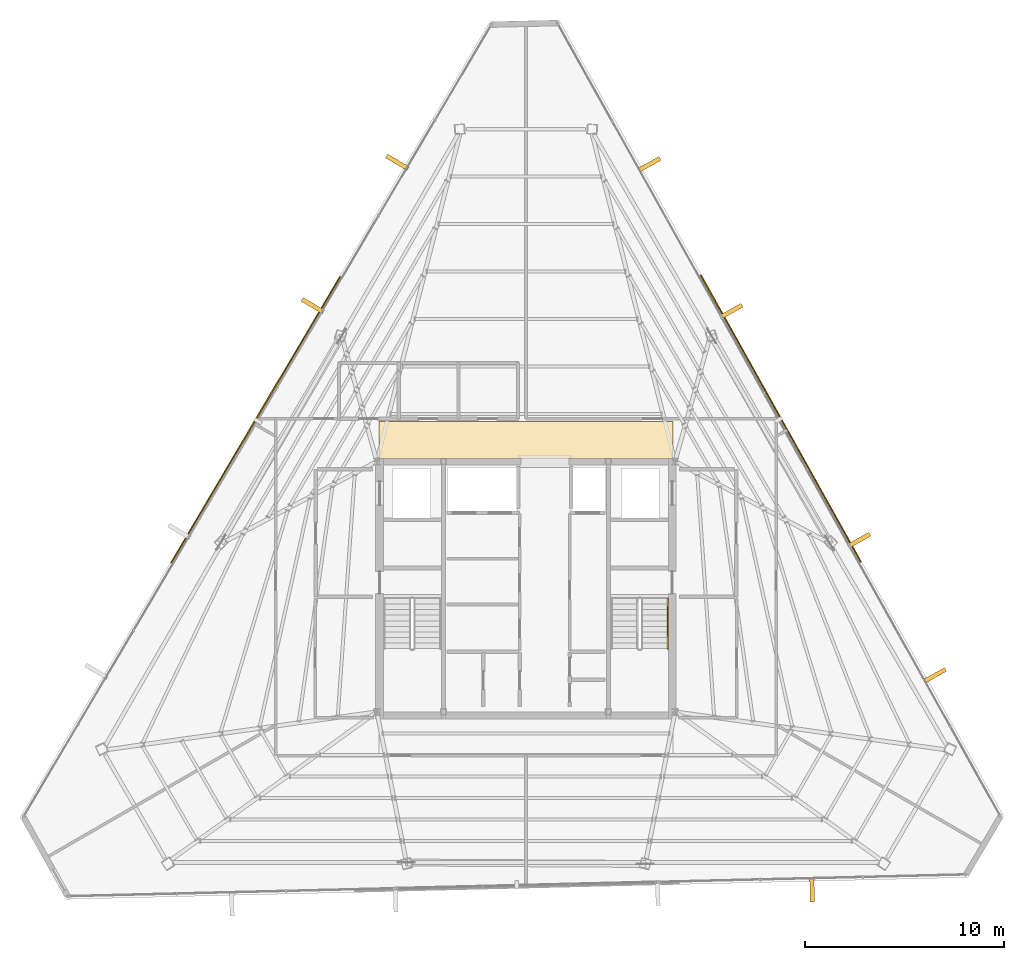
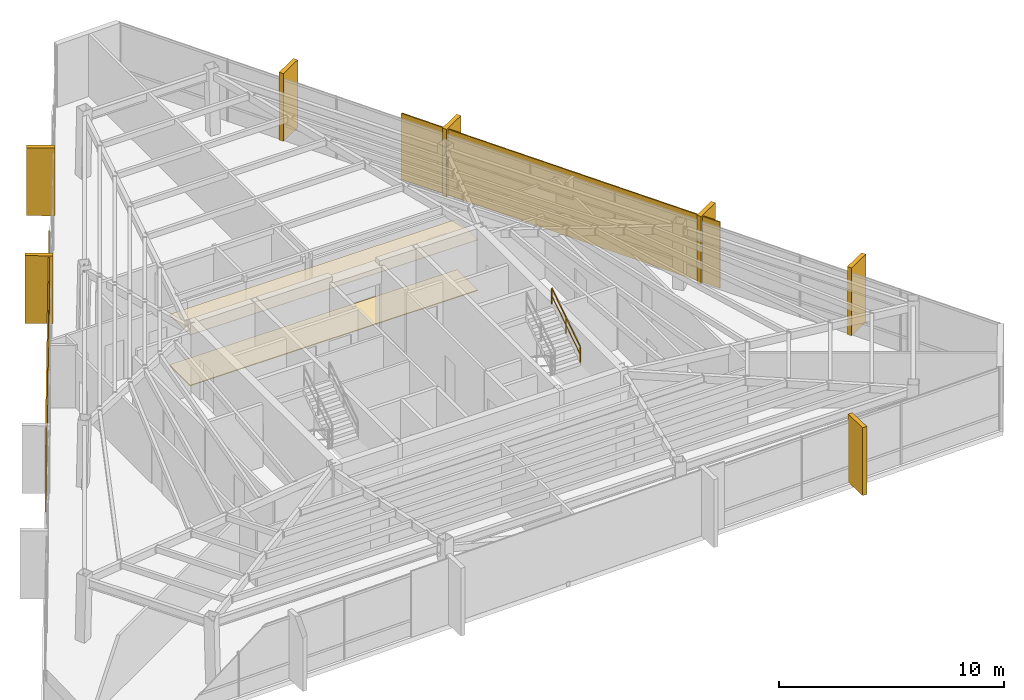
# One storey, part 48 of 48: 9 coverings, 2 shading devices, 1 railing.
"""IFC4 building model written with IfcOpenShell, lengths in metres."""

import ifcopenshell
import ifcopenshell.guid

model = None  # the IFC model being written
_history = None  # IfcOwnerHistory: only IFC2X3 demands one
_inside = {}  # id of a spatial element -> (the spatial element, [elements in it])
_under = {}  # id of a project, library or spatial element -> (it, [spatial elements below it])
_declared = {}  # id of a project -> (the project, [libraries it declares])
_typed = {}  # id of a type object -> (the type object, [elements of that type])
_made_of = {}  # id of a material, layer set ... -> (it, [elements and type objects made of it])


def new_model(schema):
    """Start an empty IFC model of exactly this schema.

    Asked for "IFC4X3", IfcOpenShell would pick the latest addendum, in which some entities
    have other attributes; the version numbers below select the first issue.
    IFC2X3 requires an IfcOwnerHistory on every rooted entity: one is made here for all.
    """
    global model, _history
    if schema == "IFC4X3":
        model = ifcopenshell.file(schema_version=(4, 3, 0, 0))
    else:
        model = ifcopenshell.file(schema=schema)
    _inside.clear()
    _under.clear()
    _declared.clear()
    _typed.clear()
    _made_of.clear()
    _history = None
    if model.schema == "IFC2X3":
        org = make("IfcOrganization", Name="unknown")
        user = make(
            "IfcPersonAndOrganization",
            ThePerson=make("IfcPerson", FamilyName="unknown"),
            TheOrganization=org,
        )
        app = make(
            "IfcApplication",
            ApplicationDeveloper=org,
            Version="unknown",
            ApplicationFullName="unknown",
            ApplicationIdentifier="unknown",
        )
        _history = make(
            "IfcOwnerHistory",
            OwningUser=user,
            OwningApplication=app,
            ChangeAction="ADDED",
            CreationDate=0,
        )
    return model


def make(cls, **values):
    """One entity of the class cls with the attributes given. An attribute that is None is left unset."""
    return model.create_entity(
        cls, **{name: value for name, value in values.items() if value is not None}
    )


def rooted(cls, **values):
    """An entity with a GlobalId (a new one), such as an element, a storey or a relation."""
    return make(cls, GlobalId=ifcopenshell.guid.new(), OwnerHistory=_history, **values)


def si_unit(unit_type, name, prefix=None):
    """IfcSIUnit, for example si_unit("LENGTHUNIT", "METRE", prefix="MILLI")."""
    return make("IfcSIUnit", UnitType=unit_type, Prefix=prefix, Name=name)


def assignment(units):
    """IfcUnitAssignment: the units of a project."""
    return None if units is None else make("IfcUnitAssignment", Units=units)


def point(xyz):
    """IfcCartesianPoint."""
    return None if xyz is None else make("IfcCartesianPoint", Coordinates=xyz)


def direction(xyz):
    """IfcDirection."""
    return None if xyz is None else make("IfcDirection", DirectionRatios=xyz)


def frame(location, z_axis=None, x_axis=None):
    """IfcAxis2Placement3D, a coordinate frame: its origin and axes. An axis left out is left unset."""
    return make(
        "IfcAxis2Placement3D",
        Location=point(location),
        Axis=direction(z_axis),
        RefDirection=direction(x_axis),
    )


def frame_2d(location, x_axis=None):
    """IfcAxis2Placement2D, a coordinate frame in the plane: its origin and x axis."""
    return make(
        "IfcAxis2Placement2D", Location=point(location), RefDirection=direction(x_axis)
    )


def origin():
    """The frame at (0, 0, 0) with its axes left unset."""
    return frame((0.0, 0.0, 0.0))


def origin_2d():
    """The frame at (0, 0) in the plane with its x axis left unset."""
    return frame_2d((0.0, 0.0))


def place(relative_to, where):
    """IfcLocalPlacement: puts the frame where relative to a parent placement (None: the world)."""
    return make(
        "IfcLocalPlacement", PlacementRelTo=relative_to, RelativePlacement=where
    )


def context(
    kind, dimensions, precision=None, world=None, true_north=None, identifier=None
):
    """IfcGeometricRepresentationContext, for example the 3D "Model" context."""
    return make(
        "IfcGeometricRepresentationContext",
        ContextIdentifier=identifier,
        ContextType=kind,
        CoordinateSpaceDimension=dimensions,
        Precision=precision,
        WorldCoordinateSystem=world,
        TrueNorth=true_north,
    )


def subcontext(parent, identifier, kind, view, scale=None):
    """IfcGeometricRepresentationSubContext, for example "Body" below "Model"."""
    return make(
        "IfcGeometricRepresentationSubContext",
        ContextIdentifier=identifier,
        ContextType=kind,
        ParentContext=parent,
        TargetScale=scale,
        TargetView=view,
    )


def project(units=None, contexts=None):
    """IfcProject with its units and contexts."""
    return rooted(
        "IfcProject",
        Name="project",
        RepresentationContexts=contexts,
        UnitsInContext=assignment(units),
    )


def spatial(cls, under=None, at=None, **own):
    """A site, building, storey or space (cls), placed at a placement, below another one or the project."""
    s = rooted(cls, ObjectPlacement=at, **own)
    if under is not None:
        _under.setdefault(under.id(), (under, []))[1].append(s)
    return s


def polyline(points):
    """IfcPolyline through the points."""
    return make("IfcPolyline", Points=[point(p) for p in points])


def profile(cls, at=None, kind="AREA", **sizes):
    """A parametric profile (cls). Its sizes go by their IFC names, for example OverallWidth=200.0."""
    return make(cls, ProfileType=kind, Position=at, **sizes)


def rectangle(**sizes):
    """IfcRectangleProfileDef."""
    return profile("IfcRectangleProfileDef", **sizes)


def outline(outer, holes=None, kind="AREA"):
    """IfcArbitraryClosedProfileDef: a profile drawn as a closed curve; with holes, ...WithVoids."""
    if holes is None:
        return make("IfcArbitraryClosedProfileDef", ProfileType=kind, OuterCurve=outer)
    return make(
        "IfcArbitraryProfileDefWithVoids",
        ProfileType=kind,
        OuterCurve=outer,
        InnerCurves=holes,
    )


def extrude(swept, where, along, depth):
    """IfcExtrudedAreaSolid: the profile swept, set in the frame where, extruded along a direction by depth."""
    return make(
        "IfcExtrudedAreaSolid",
        SweptArea=swept,
        Position=where,
        ExtrudedDirection=direction(along),
        Depth=depth,
    )


def shape(context_of_items, identifier, shape_type, items):
    """IfcShapeRepresentation: the items that make up one representation, for example the "Body"."""
    return make(
        "IfcShapeRepresentation",
        ContextOfItems=context_of_items,
        RepresentationIdentifier=identifier,
        RepresentationType=shape_type,
        Items=items,
    )


def source(mapping_origin, context_of_items, identifier, shape_type, items):
    """IfcRepresentationMap: a shape defined once, which mapped items show again and again."""
    return make(
        "IfcRepresentationMap",
        MappingOrigin=mapping_origin,
        MappedRepresentation=shape(context_of_items, identifier, shape_type, items),
    )


def transform(
    local_origin,
    x_axis=None,
    y_axis=None,
    z_axis=None,
    scale=None,
    scale2=None,
    scale3=None,
    uniform=True,
):
    """IfcCartesianTransformationOperator3D, or its non-uniform kind. x_axis, y_axis, z_axis: its Axis1, 2, 3."""
    if uniform:
        return make(
            "IfcCartesianTransformationOperator3D",
            Axis1=direction(x_axis),
            Axis2=direction(y_axis),
            LocalOrigin=point(local_origin),
            Scale=scale,
            Axis3=direction(z_axis),
        )
    return make(
        "IfcCartesianTransformationOperator3DnonUniform",
        Axis1=direction(x_axis),
        Axis2=direction(y_axis),
        LocalOrigin=point(local_origin),
        Scale=scale,
        Axis3=direction(z_axis),
        Scale2=scale2,
        Scale3=scale3,
    )


def mapped(mapping_source, mapping_target):
    """IfcMappedItem: shows the shape of a source again, moved by a transform."""
    return make(
        "IfcMappedItem", MappingSource=mapping_source, MappingTarget=mapping_target
    )


def material(Name=None, Category=None):
    """IfcMaterial."""
    return make("IfcMaterial", Name=Name, Category=Category)


def layer(
    of_material, thickness, ventilated=None, Name=None, Category=None, Priority=None
):
    """IfcMaterialLayer: one layer of a wall or slab, of a material (None: an air gap)."""
    return make(
        "IfcMaterialLayer",
        Material=of_material,
        LayerThickness=thickness,
        IsVentilated=ventilated,
        Name=Name,
        Category=Category,
        Priority=Priority,
    )


def layer_set(layers, Name=None):
    """IfcMaterialLayerSet."""
    return make("IfcMaterialLayerSet", MaterialLayers=layers, LayerSetName=Name)


def made_of(thing, what):
    """Note that an element or type object is made of a material, layer set ...; save() writes the relation."""
    if what is not None:
        _made_of.setdefault(what.id(), (what, []))[1].append(thing)
    return thing


def type_object(cls, material=None, **own):
    """A type object (cls), such as IfcWallType, which elements share."""
    return made_of(rooted(cls, **own), material)


def type_shapes(of_type, sources):
    """Give a type object the sources (RepresentationMaps) that its elements show as mapped items."""
    of_type.RepresentationMaps = sources


def element(
    cls,
    number,
    at=None,
    inside=None,
    cuts=None,
    type_object=None,
    material=None,
    context=None,
    identifier="Body",
    shape_type=None,
    held_by="IfcProductDefinitionShape",
    body=None,
    shapes=None,
    **own,
):
    """One element of the class cls, such as IfcWall. Its Tag is "e" and its number.

    at: its placement. inside: the storey or other place that contains it. cuts: it is an
    opening in that element (IfcRelVoidsElement). A single representation is given by context,
    identifier, shape_type and body (its items); several are given by shapes. held_by: the class
    of the entity that holds the representations. save() writes the other relations.
    """
    e = rooted(cls, Tag="e%d" % number, ObjectPlacement=at, **own)
    if body is not None:
        shapes = [shape(context, identifier, shape_type, body)]
    if shapes is not None:
        e.Representation = make(held_by, Representations=shapes)
    if inside is not None:
        _inside.setdefault(inside.id(), (inside, []))[1].append(e)
    if cuts is not None:
        rooted(
            "IfcRelVoidsElement", RelatingBuildingElement=cuts, RelatedOpeningElement=e
        )
    if type_object is not None:
        _typed.setdefault(type_object.id(), (type_object, []))[1].append(e)
    return made_of(e, material)


def aggregate(whole, parts):
    """IfcRelAggregates: a whole, such as a stair, and the parts it consists of."""
    return rooted("IfcRelAggregates", RelatingObject=whole, RelatedObjects=parts)


def save(model, path):
    """Write the relations noted so far, then the file.

    IfcRelAggregates (storeys below a building ...), IfcRelContainedInSpatialStructure (elements
    in a storey), IfcRelDefinesByType, IfcRelAssociatesMaterial and IfcRelDeclares: one each for
    every whole, place, type object, material and project.
    """
    for whole, parts in _under.values():
        aggregate(whole, parts)
    for where, things in _inside.values():
        rooted(
            "IfcRelContainedInSpatialStructure",
            RelatedElements=things,
            RelatingStructure=where,
        )
    for kind, things in _typed.values():
        rooted("IfcRelDefinesByType", RelatedObjects=things, RelatingType=kind)
    for what, things in _made_of.values():
        rooted("IfcRelAssociatesMaterial", RelatedObjects=things, RelatingMaterial=what)
    for by, libraries in _declared.values():
        rooted("IfcRelDeclares", RelatingContext=by, RelatedDefinitions=libraries)
    model.write(path)


model = new_model("IFC4")

# Units and contexts
model_context = context("Model", 3, precision=1e-05, world=origin(), true_north=direction((0.0, 1.0)))
body_context = subcontext(model_context, "Body", "Model", "MODEL_VIEW")
ifc_project = project(units=[si_unit("LENGTHUNIT", "METRE"), si_unit("AREAUNIT", "SQUARE_METRE"), si_unit("VOLUMEUNIT", "CUBIC_METRE"), si_unit("PLANEANGLEUNIT", "RADIAN"), si_unit("MASSUNIT", "GRAM", prefix="KILO")], contexts=[model_context])

# Site, building, storey
site_placement = place(None, origin())
site = spatial("IfcSite", under=ifc_project, at=site_placement, CompositionType="ELEMENT")
building_placement = place(site_placement, origin())
building = spatial("IfcBuilding", under=site, at=building_placement, Name="Caelisora Broadcast Tower", CompositionType="ELEMENT")
storey_placement = place(building_placement, frame((0.0, 0.0, 277.300048828125)))
storey = spatial("IfcBuildingStorey", under=building, at=storey_placement, Name="L73", CompositionType="ELEMENT", Elevation=277.300048828125)

# Coverings
ifc_material_1 = material(Name="Perforated Mineral-Fibre Acoustic Ceiling Tile", Category="gypsum")
ifc_layer_1 = layer(ifc_material_1, 0.034912109375, Name="Perforated Mineral-Fibre Acoustic Ceiling Tile")
ifc_layer_set_1 = layer_set([ifc_layer_1], Name="Perforated Mineral-Fibre Acoustic Ceiling Tile")
covering_type_1 = type_object("IfcCoveringType", Name="CE-1", PredefinedType="CEILING", material=ifc_layer_set_1)
covering_1_placement = place(storey_placement, frame((0.0, 0.0, 2.75)))
element("IfcCovering", 1, at=covering_1_placement, inside=storey, type_object=covering_type_1, Name="L73 acoustic corridor ceiling CE-1 (N)", PredefinedType="CEILING", context=body_context, shape_type="SweptSolid", body=[
    extrude(outline(polyline([(30.60009765625, 30.14990234375), (45.39990234375, 30.14990234375), (45.39990234375, 32.0), (30.60009765625, 32.0), (30.60009765625, 30.14990234375)])), origin(), (0.0, 0.0, 1.0), 0.034912109375),
])
ifc_material_2 = material(Name="Anti-Static Broadcast Raised Access Floor Panel", Category="steel")
ifc_layer_2 = layer(ifc_material_2, 0.044921875, Name="Anti-Static Broadcast Raised Access Floor Panel")
ifc_layer_set_2 = layer_set([ifc_layer_2], Name="Anti-Static Broadcast Raised Access Floor Panel")
covering_type_2 = type_object("IfcCoveringType", Name="FL-1", PredefinedType="FLOORING", material=ifc_layer_set_2)
covering_2_placement = place(storey_placement, origin())
element("IfcCovering", 2, at=covering_2_placement, inside=storey, type_object=covering_type_2, Name="L73 broadcast raised access floor FL-1 (N)", PredefinedType="FLOORING", context=body_context, shape_type="SweptSolid", body=[
    extrude(outline(polyline([(30.60009765625, 30.14990234375), (45.39990234375, 30.14990234375), (45.39990234375, 32.0), (30.60009765625, 32.0), (30.60009765625, 30.14990234375)])), origin(), (0.0, 0.0, 1.0), 0.044921875),
])

# Railing
ifc_material_3 = material(Name="Stainless Steel Grade 316 Tubular Handrail", Category="steel")
ifc_layer_3 = layer(ifc_material_3, 0.048095703125, Name="Stainless Steel Grade 316 Tubular Handrail")
ifc_layer_set_3 = layer_set([ifc_layer_3], Name="Stainless Steel Grade 316 Tubular Handrail")
railing_type = type_object("IfcRailingType", Name="HR-1", PredefinedType="HANDRAIL", material=ifc_layer_set_3)
railing_placement = place(storey_placement, frame((45.1298828125, 20.580078125, 2.007568359375)))
element("IfcRailing", 3, at=railing_placement, inside=storey, type_object=railing_type, Name="L73 ST-2 stair handrail 2", PredefinedType="HANDRAIL", context=body_context, shape_type="SweptSolid", body=[
    extrude(rectangle(XDim=0.048095703125, YDim=0.048095703125, at=origin_2d()), frame((0.0, 0.0, 0.8759765625), z_axis=(0.0, 0.837786554691, 0.545997883492), x_axis=(-1.0, 0.0, 0.0)), (0.0, 0.0, 1.0), 3.008056640625),
    extrude(rectangle(XDim=0.03125, YDim=0.03125, at=origin_2d()), frame((0.0, 0.0, 0.449951171875), z_axis=(0.0, 0.837786554691, 0.545997883492), x_axis=(-1.0, 0.0, 0.0)), (0.0, 0.0, 1.0), 3.008056640625),
    extrude(rectangle(XDim=0.0419921875, YDim=0.0419921875, at=origin_2d()), origin(), (0.0, 0.0, 1.0), 0.851806640625),
    extrude(rectangle(XDim=0.0419921875, YDim=0.0419921875, at=origin_2d()), frame((0.0, 1.260009765625, 0.8212890625)), (0.0, 0.0, 1.0), 0.851806640625),
    extrude(rectangle(XDim=0.0419921875, YDim=0.0419921875, at=origin_2d()), frame((0.0, 2.52001953125, 1.642333984375)), (0.0, 0.0, 1.0), 0.851806640625),
])

# Coverings
ifc_material_4 = material(Name="Kiln-Fired Terracotta Spandrel Rainscreen Cladding", Category="ceramic")
ifc_layer_4 = layer(ifc_material_4, 0.044921875, Name="Kiln-Fired Terracotta Spandrel Rainscreen Cladding")
ifc_layer_set_4 = layer_set([ifc_layer_4], Name="Kiln-Fired Terracotta Spandrel Rainscreen Cladding")
covering_type_3 = type_object("IfcCoveringType", Name="CL-1", PredefinedType="CLADDING", material=ifc_layer_set_4)
shared_shape_1 = source(origin(), body_context, "Body", "SweptSolid", [
    extrude(rectangle(XDim=0.219970703125, YDim=1.25, at=origin_2d()), origin(), (0.0, 0.0, 1.0), 3.68994140625),
])
type_shapes(covering_type_3, [shared_shape_1])
for number, where, z_axis, x_axis, name in (
    (4, (44.199951171875, 44.944091796875, -0.02001953125), (0.0, 0.0, 1.0), (0.487707298065, -0.873007211547, 0.0), "L73 vertical solar fin cladding #1-1"),
    (5, (48.325927734375, 37.556884765625, -0.02001953125), (0.0, 0.0, 1.0), (0.487707298065, -0.873007211547, 0.0), "L73 vertical solar fin cladding #1-2"),
    (6, (54.7607421875, 26.03662109375, -0.02001953125), (0.0, 0.0, 1.0), (0.487707298065, -0.873007211547, 0.0), "L73 vertical solar fin cladding #1-3"),
    (7, (58.564208984375, 19.226806640625, -0.02001953125), (0.0, 0.0, 1.0), (0.487707298065, -0.873007211547, 0.0), "L73 vertical solar fin cladding #1-4"),
    (8, (52.3974609375, 8.464111328125, -0.02001953125), (0.0, 0.0, 1.0), (-0.999705738774, -0.024257696956, 0.0), "L73 vertical solar fin cladding #2-1"),
    (9, (27.265869140625, 37.83935546875, -0.02001953125), (0.0, 0.0, 1.0), (0.508590662521, 0.861008442465, 0.0), "L73 vertical solar fin cladding #3-3"),
    (10, (31.5263671875, 45.051025390625, -0.02001953125), (0.0, 0.0, 1.0), (0.508590662521, 0.861008442465, 0.0), "L73 vertical solar fin cladding #3-4"),
):
    element("IfcCovering", number, at=place(storey_placement, frame(where, z_axis=z_axis, x_axis=x_axis)), inside=storey, type_object=covering_type_3, Name=name, PredefinedType="CLADDING", context=body_context, shape_type="MappedRepresentation", body=[
        mapped(shared_shape_1, transform((0.0, 0.0, 0.0), scale=1.0)),
    ])

# Shading devices
ifc_material_5 = material(Name="Perforated Glazed Terracotta Baguette Solar Screen", Category="ceramic")
ifc_layer_5 = layer(ifc_material_5, 0.06494140625, Name="Perforated Glazed Terracotta Baguette Solar Screen")
ifc_layer_set_5 = layer_set([ifc_layer_5], Name="Perforated Glazed Terracotta Baguette Solar Screen")
shading_device_type = type_object("IfcShadingDeviceType", Name="SS-1", PredefinedType="USERDEFINED", material=ifc_layer_set_5)
shared_shape_2 = source(origin(), body_context, "Body", "SweptSolid", [
    extrude(rectangle(XDim=16.73193359375, YDim=0.06494140625, at=origin_2d()), origin(), (0.0, 0.0, 1.0), 3.590087890625),
])
shading_device_1_placement = place(storey_placement, frame((24.396484375, 32.09765625, 0.0), z_axis=(0.0, 0.0, 1.0), x_axis=(-0.508590662521, -0.861008442465, 0.0)))
element("IfcShadingDevice", 11, at=shading_device_1_placement, inside=storey, type_object=shading_device_type, Name="L73 perforated terracotta solar screen #1", ObjectType="SOLAR SCREEN", PredefinedType="USERDEFINED", context=body_context, shape_type="MappedRepresentation", body=[
    mapped(shared_shape_2, transform((0.0, 0.0, 0.0), scale=1.0)),
])
shared_shape_3 = source(origin(), body_context, "Body", "SweptSolid", [
    extrude(rectangle(XDim=16.52197265625, YDim=0.06494140625, at=origin_2d()), origin(), (0.0, 0.0, 1.0), 3.590087890625),
])
type_shapes(shading_device_type, [shared_shape_2, shared_shape_3])
shading_device_2_placement = place(storey_placement, frame((50.8271484375, 32.156494140625, 0.0), z_axis=(0.0, 0.0, 1.0), x_axis=(-0.487707298065, 0.873007211547, 0.0)))
element("IfcShadingDevice", 12, at=shading_device_2_placement, inside=storey, type_object=shading_device_type, Name="L73 perforated terracotta solar screen #3", ObjectType="SOLAR SCREEN", PredefinedType="USERDEFINED", context=body_context, shape_type="MappedRepresentation", body=[
    mapped(shared_shape_3, transform((0.0, 0.0, 0.0), scale=1.0)),
])

save(model, "model.ifc")
